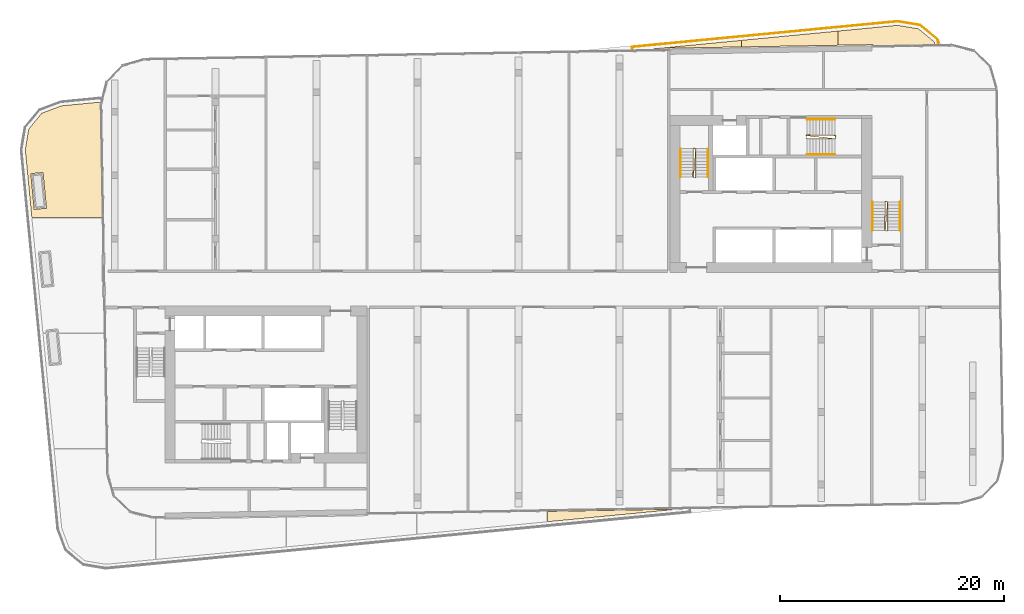
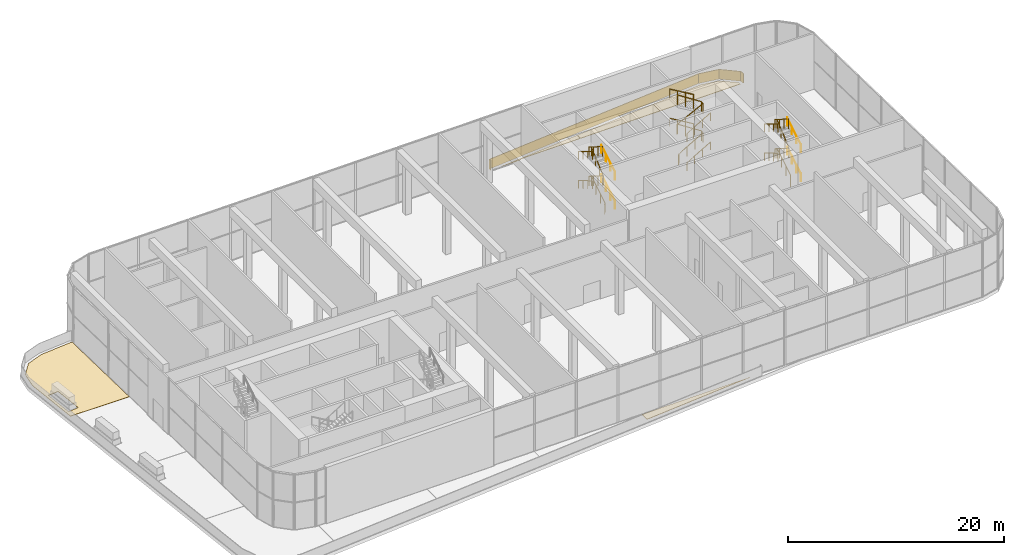
# One storey, part 23 of 24: 17 railings, 5 coverings.
"""IFC4 building model written with IfcOpenShell, lengths in metres."""

import ifcopenshell
import ifcopenshell.guid

model = None  # the IFC model being written
_history = None  # IfcOwnerHistory: only IFC2X3 demands one
_inside = {}  # id of a spatial element -> (the spatial element, [elements in it])
_under = {}  # id of a project, library or spatial element -> (it, [spatial elements below it])
_declared = {}  # id of a project -> (the project, [libraries it declares])
_typed = {}  # id of a type object -> (the type object, [elements of that type])
_made_of = {}  # id of a material, layer set ... -> (it, [elements and type objects made of it])


def new_model(schema):
    """Start an empty IFC model of exactly this schema.

    Asked for "IFC4X3", IfcOpenShell would pick the latest addendum, in which some entities
    have other attributes; the version numbers below select the first issue.
    IFC2X3 requires an IfcOwnerHistory on every rooted entity: one is made here for all.
    """
    global model, _history
    if schema == "IFC4X3":
        model = ifcopenshell.file(schema_version=(4, 3, 0, 0))
    else:
        model = ifcopenshell.file(schema=schema)
    _inside.clear()
    _under.clear()
    _declared.clear()
    _typed.clear()
    _made_of.clear()
    _history = None
    if model.schema == "IFC2X3":
        org = make("IfcOrganization", Name="unknown")
        user = make(
            "IfcPersonAndOrganization",
            ThePerson=make("IfcPerson", FamilyName="unknown"),
            TheOrganization=org,
        )
        app = make(
            "IfcApplication",
            ApplicationDeveloper=org,
            Version="unknown",
            ApplicationFullName="unknown",
            ApplicationIdentifier="unknown",
        )
        _history = make(
            "IfcOwnerHistory",
            OwningUser=user,
            OwningApplication=app,
            ChangeAction="ADDED",
            CreationDate=0,
        )
    return model


def make(cls, **values):
    """One entity of the class cls with the attributes given. An attribute that is None is left unset."""
    return model.create_entity(
        cls, **{name: value for name, value in values.items() if value is not None}
    )


def rooted(cls, **values):
    """An entity with a GlobalId (a new one), such as an element, a storey or a relation."""
    return make(cls, GlobalId=ifcopenshell.guid.new(), OwnerHistory=_history, **values)


def si_unit(unit_type, name, prefix=None):
    """IfcSIUnit, for example si_unit("LENGTHUNIT", "METRE", prefix="MILLI")."""
    return make("IfcSIUnit", UnitType=unit_type, Prefix=prefix, Name=name)


def assignment(units):
    """IfcUnitAssignment: the units of a project."""
    return None if units is None else make("IfcUnitAssignment", Units=units)


def point(xyz):
    """IfcCartesianPoint."""
    return None if xyz is None else make("IfcCartesianPoint", Coordinates=xyz)


def direction(xyz):
    """IfcDirection."""
    return None if xyz is None else make("IfcDirection", DirectionRatios=xyz)


def frame(location, z_axis=None, x_axis=None):
    """IfcAxis2Placement3D, a coordinate frame: its origin and axes. An axis left out is left unset."""
    return make(
        "IfcAxis2Placement3D",
        Location=point(location),
        Axis=direction(z_axis),
        RefDirection=direction(x_axis),
    )


def frame_2d(location, x_axis=None):
    """IfcAxis2Placement2D, a coordinate frame in the plane: its origin and x axis."""
    return make(
        "IfcAxis2Placement2D", Location=point(location), RefDirection=direction(x_axis)
    )


def origin():
    """The frame at (0, 0, 0) with its axes left unset."""
    return frame((0.0, 0.0, 0.0))


def origin_2d():
    """The frame at (0, 0) in the plane with its x axis left unset."""
    return frame_2d((0.0, 0.0))


def place(relative_to, where):
    """IfcLocalPlacement: puts the frame where relative to a parent placement (None: the world)."""
    return make(
        "IfcLocalPlacement", PlacementRelTo=relative_to, RelativePlacement=where
    )


def context(
    kind, dimensions, precision=None, world=None, true_north=None, identifier=None
):
    """IfcGeometricRepresentationContext, for example the 3D "Model" context."""
    return make(
        "IfcGeometricRepresentationContext",
        ContextIdentifier=identifier,
        ContextType=kind,
        CoordinateSpaceDimension=dimensions,
        Precision=precision,
        WorldCoordinateSystem=world,
        TrueNorth=true_north,
    )


def subcontext(parent, identifier, kind, view, scale=None):
    """IfcGeometricRepresentationSubContext, for example "Body" below "Model"."""
    return make(
        "IfcGeometricRepresentationSubContext",
        ContextIdentifier=identifier,
        ContextType=kind,
        ParentContext=parent,
        TargetScale=scale,
        TargetView=view,
    )


def project(units=None, contexts=None):
    """IfcProject with its units and contexts."""
    return rooted(
        "IfcProject",
        Name="project",
        RepresentationContexts=contexts,
        UnitsInContext=assignment(units),
    )


def spatial(cls, under=None, at=None, **own):
    """A site, building, storey or space (cls), placed at a placement, below another one or the project."""
    s = rooted(cls, ObjectPlacement=at, **own)
    if under is not None:
        _under.setdefault(under.id(), (under, []))[1].append(s)
    return s


def polyline(points):
    """IfcPolyline through the points."""
    return make("IfcPolyline", Points=[point(p) for p in points])


def profile(cls, at=None, kind="AREA", **sizes):
    """A parametric profile (cls). Its sizes go by their IFC names, for example OverallWidth=200.0."""
    return make(cls, ProfileType=kind, Position=at, **sizes)


def circle(**sizes):
    """IfcCircleProfileDef."""
    return profile("IfcCircleProfileDef", **sizes)


def outline(outer, holes=None, kind="AREA"):
    """IfcArbitraryClosedProfileDef: a profile drawn as a closed curve; with holes, ...WithVoids."""
    if holes is None:
        return make("IfcArbitraryClosedProfileDef", ProfileType=kind, OuterCurve=outer)
    return make(
        "IfcArbitraryProfileDefWithVoids",
        ProfileType=kind,
        OuterCurve=outer,
        InnerCurves=holes,
    )


def extrude(swept, where, along, depth):
    """IfcExtrudedAreaSolid: the profile swept, set in the frame where, extruded along a direction by depth."""
    return make(
        "IfcExtrudedAreaSolid",
        SweptArea=swept,
        Position=where,
        ExtrudedDirection=direction(along),
        Depth=depth,
    )


def shape(context_of_items, identifier, shape_type, items):
    """IfcShapeRepresentation: the items that make up one representation, for example the "Body"."""
    return make(
        "IfcShapeRepresentation",
        ContextOfItems=context_of_items,
        RepresentationIdentifier=identifier,
        RepresentationType=shape_type,
        Items=items,
    )


def material(Name=None, Category=None):
    """IfcMaterial."""
    return make("IfcMaterial", Name=Name, Category=Category)


def layer(
    of_material, thickness, ventilated=None, Name=None, Category=None, Priority=None
):
    """IfcMaterialLayer: one layer of a wall or slab, of a material (None: an air gap)."""
    return make(
        "IfcMaterialLayer",
        Material=of_material,
        LayerThickness=thickness,
        IsVentilated=ventilated,
        Name=Name,
        Category=Category,
        Priority=Priority,
    )


def layer_set(layers, Name=None):
    """IfcMaterialLayerSet."""
    return make("IfcMaterialLayerSet", MaterialLayers=layers, LayerSetName=Name)


def made_of(thing, what):
    """Note that an element or type object is made of a material, layer set ...; save() writes the relation."""
    if what is not None:
        _made_of.setdefault(what.id(), (what, []))[1].append(thing)
    return thing


def type_object(cls, material=None, **own):
    """A type object (cls), such as IfcWallType, which elements share."""
    return made_of(rooted(cls, **own), material)


def element(
    cls,
    number,
    at=None,
    inside=None,
    cuts=None,
    type_object=None,
    material=None,
    context=None,
    identifier="Body",
    shape_type=None,
    held_by="IfcProductDefinitionShape",
    body=None,
    shapes=None,
    **own,
):
    """One element of the class cls, such as IfcWall. Its Tag is "e" and its number.

    at: its placement. inside: the storey or other place that contains it. cuts: it is an
    opening in that element (IfcRelVoidsElement). A single representation is given by context,
    identifier, shape_type and body (its items); several are given by shapes. held_by: the class
    of the entity that holds the representations. save() writes the other relations.
    """
    e = rooted(cls, Tag="e%d" % number, ObjectPlacement=at, **own)
    if body is not None:
        shapes = [shape(context, identifier, shape_type, body)]
    if shapes is not None:
        e.Representation = make(held_by, Representations=shapes)
    if inside is not None:
        _inside.setdefault(inside.id(), (inside, []))[1].append(e)
    if cuts is not None:
        rooted(
            "IfcRelVoidsElement", RelatingBuildingElement=cuts, RelatedOpeningElement=e
        )
    if type_object is not None:
        _typed.setdefault(type_object.id(), (type_object, []))[1].append(e)
    return made_of(e, material)


def aggregate(whole, parts):
    """IfcRelAggregates: a whole, such as a stair, and the parts it consists of."""
    return rooted("IfcRelAggregates", RelatingObject=whole, RelatedObjects=parts)


def save(model, path):
    """Write the relations noted so far, then the file.

    IfcRelAggregates (storeys below a building ...), IfcRelContainedInSpatialStructure (elements
    in a storey), IfcRelDefinesByType, IfcRelAssociatesMaterial and IfcRelDeclares: one each for
    every whole, place, type object, material and project.
    """
    for whole, parts in _under.values():
        aggregate(whole, parts)
    for where, things in _inside.values():
        rooted(
            "IfcRelContainedInSpatialStructure",
            RelatedElements=things,
            RelatingStructure=where,
        )
    for kind, things in _typed.values():
        rooted("IfcRelDefinesByType", RelatedObjects=things, RelatingType=kind)
    for what, things in _made_of.values():
        rooted("IfcRelAssociatesMaterial", RelatedObjects=things, RelatingMaterial=what)
    for by, libraries in _declared.values():
        rooted("IfcRelDeclares", RelatingContext=by, RelatedDefinitions=libraries)
    model.write(path)


model = new_model("IFC4")

# Units and contexts
model_context = context("Model", 3, precision=1e-05, world=origin(), true_north=direction((0.0, 1.0)))
body_context = subcontext(model_context, "Body", "Model", "MODEL_VIEW")
ifc_project = project(units=[si_unit("LENGTHUNIT", "METRE"), si_unit("AREAUNIT", "SQUARE_METRE"), si_unit("VOLUMEUNIT", "CUBIC_METRE"), si_unit("PLANEANGLEUNIT", "RADIAN"), si_unit("MASSUNIT", "GRAM", prefix="KILO")], contexts=[model_context])

# Site, building, storey
site_placement = place(None, origin())
site = spatial("IfcSite", under=ifc_project, at=site_placement, CompositionType="ELEMENT")
building_placement = place(site_placement, origin())
building = spatial("IfcBuilding", under=site, at=building_placement, Name="Kajstack Hotel Tower", CompositionType="ELEMENT")
storey_placement = place(building_placement, frame((0.0, 0.0, 211.10009765625)))
storey = spatial("IfcBuildingStorey", under=building, at=storey_placement, Name="L51", CompositionType="ELEMENT", Elevation=211.10009765625)

# Railings
ifc_material_1 = material(Name="Steel S355J2", Category="steel")
railing_type_1 = type_object("IfcRailingType", Name="BALUSTRADE-TERRACE", PredefinedType="BALUSTRADE", material=ifc_material_1)
railing_1_placement = place(storey_placement, frame((10.15087890625, 21.327880859375, 0.0)))
element("IfcRailing", 1, at=railing_1_placement, inside=storey, type_object=railing_type_1, Name="Terrace guard L51-02-01", PredefinedType="BALUSTRADE", context=body_context, shape_type="SweptSolid", body=[
    extrude(outline(polyline([(-0.035400390625, 0.29736328125), (23.656494140625, 2.578369140625), (23.662353515625, 2.518798828125), (0.025634765625, 0.24267578125), (0.030029296875, 0.00048828125), (-0.030029296875, -0.00048828125), (-0.035400390625, 0.29736328125)])), origin(), (0.0, 0.0, 1.0), 1.10009765625),
])
railing_2_placement = place(storey_placement, frame((33.810302734375, 23.87646484375, 0.0)))
element("IfcRailing", 2, at=railing_2_placement, inside=storey, type_object=railing_type_1, Name="Terrace guard L51-02-02", PredefinedType="BALUSTRADE", context=body_context, shape_type="SweptSolid", body=[
    extrude(outline(polyline([(2.008056640625, -0.305419921875), (3.568359375, -1.591796875), (3.64501953125, -1.796630859375), (3.649658203125, -2.07177734375), (3.589599609375, -2.07275390625), (3.5849609375, -1.807861328125), (3.517578125, -1.6279296875), (1.982177734375, -0.362060546875), (-0.0048828125, -0.029541015625), (0.0048828125, 0.029541015625), (2.008056640625, -0.305419921875)])), origin(), (0.0, 0.0, 1.0), 1.10009765625),
])

# Coverings
ifc_material_2 = material(Name="Timber larch", Category="wood")
ifc_layer = layer(ifc_material_2, 0.050048828125)
ifc_layer_set = layer_set([ifc_layer], Name="DECK-LARCH")
covering_type = type_object("IfcCoveringType", Name="DECK-LARCH", PredefinedType="FLOORING", material=ifc_layer_set)
covering_1_placement = place(storey_placement, origin())
element("IfcCovering", 3, at=covering_1_placement, inside=storey, type_object=covering_type, Name="Larch decking L51-01-04", PredefinedType="FLOORING", context=body_context, shape_type="SweptSolid", body=[
    extrude(outline(polyline([(-43.3818359375, 6.3759765625), (-37.105224609375, 6.3759765625), (-37.281982421875, 16.49951171875), (-37.25390625, 16.61181640625), (-37.41748046875, 16.652587890625), (-37.561279296875, 16.652587890625), (-40.7333984375, 16.34716796875), (-42.4970703125, 15.68798828125), (-43.65380859375, 14.284423828125), (-43.95458984375, 12.4873046875), (-43.95458984375, 12.32373046875), (-43.3818359375, 6.3759765625)]), holes=[polyline([(-43.17138671875, 7.1123046875), (-43.478271484375, 10.297607421875), (-42.38330078125, 10.40283203125), (-42.07666015625, 7.2177734375), (-43.17138671875, 7.1123046875)])]), origin(), (0.0, 0.0, 1.0), 0.0498046875),
])
covering_2_placement = place(storey_placement, origin())
element("IfcCovering", 4, at=covering_2_placement, inside=storey, type_object=covering_type, Name="Larch decking L51-01-08", PredefinedType="FLOORING", context=body_context, shape_type="SweptSolid", body=[
    extrude(outline(polyline([(2.5673828125, -19.810791015625), (2.5673828125, -20.7333984375), (14.177734375, -19.615478515625), (14.177734375, -19.608154296875), (2.5673828125, -19.810791015625)])), origin(), (0.0, 0.0, 1.0), 0.0498046875),
])
covering_3_placement = place(storey_placement, origin())
element("IfcCovering", 5, at=covering_3_placement, inside=storey, type_object=covering_type, Name="Larch decking L51-02-01", PredefinedType="FLOORING", context=body_context, shape_type="SweptSolid", body=[
    extrude(outline(polyline([(19.859130859375, 21.597412109375), (19.859130859375, 22.181640625), (11.301025390625, 21.357421875), (11.837158203125, 21.357421875), (13.400146484375, 21.384765625), (13.398193359375, 21.484619140625), (19.859130859375, 21.597412109375)])), origin(), (0.0, 0.0, 1.0), 0.0498046875),
])
covering_4_placement = place(storey_placement, origin())
element("IfcCovering", 6, at=covering_4_placement, inside=storey, type_object=covering_type, Name="Larch decking L51-02-02", PredefinedType="FLOORING", context=body_context, shape_type="SweptSolid", body=[
    extrude(outline(polyline([(28.464599609375, 21.74755859375), (28.464599609375, 23.01025390625), (19.879150390625, 22.183349609375), (19.879150390625, 21.597900390625), (28.464599609375, 21.74755859375)])), origin(), (0.0, 0.0, 1.0), 0.0498046875),
])
covering_5_placement = place(storey_placement, origin())
element("IfcCovering", 7, at=covering_5_placement, inside=storey, type_object=covering_type, Name="Larch decking L51-02-03", PredefinedType="FLOORING", context=body_context, shape_type="SweptSolid", body=[
    extrude(outline(polyline([(31.599853515625, 21.702392578125), (37.070068359375, 21.7978515625), (37.070068359375, 22.02490234375), (37.058349609375, 22.056396484375), (35.655029296875, 23.213134765625), (33.85791015625, 23.513671875), (33.6943359375, 23.513671875), (28.484619140625, 23.011962890625), (28.484619140625, 21.748046875), (31.59814453125, 21.80224609375), (31.599853515625, 21.702392578125)])), origin(), (0.0, 0.0, 1.0), 0.0498046875),
])

# Railings
railing_type_2 = type_object("IfcRailingType", Name="Stair guard 1100", PredefinedType="GUARDRAIL", material=ifc_material_1)
railing_3_placement = place(storey_placement, frame((32.85009765625, 5.199951171875, 0.0)))
element("IfcRailing", 8, at=railing_3_placement, inside=storey, type_object=railing_type_2, Name="L51 E1 stair guard 1", PredefinedType="GUARDRAIL", context=body_context, shape_type="SweptSolid", body=[
    extrude(circle(Radius=0.02392578125, at=origin_2d()), frame((0.0, 0.0, 1.076171875), z_axis=(0.277797701265, 0.279159454702, 0.919183570361), x_axis=(-0.708833529934, 0.705375805398, 0.0)), (0.0, 0.0, 1.0), 0.17919921875),
    extrude(circle(Radius=0.02392578125, at=origin_2d()), frame((0.0498046875, 0.050048828125, 1.24072265625), z_axis=(0.0, 0.86152411907, 0.507716645641), x_axis=(-1.0, 0.0, 0.0)), (0.0, 0.0, 1.0), 2.925048828125),
    extrude(circle(Radius=0.02392578125, at=origin_2d()), frame((0.0498046875, 2.570068359375, 2.72607421875), z_axis=(-0.970072785993, 0.242814311512, 0.0), x_axis=(-0.242814311512, -0.970072785993, 0.0)), (0.0, 0.0, 1.0), 0.2060546875),
    extrude(circle(Radius=0.02392578125, at=origin_2d()), frame((-0.150146484375, 2.6201171875, 2.72607421875), z_axis=(-0.016385308676, -0.841405582595, 0.540155687962), x_axis=(0.999810440751, -0.019470042781, 0.0)), (0.0, 0.0, 1.0), 3.054443359375),
    extrude(circle(Radius=0.02392578125, at=origin_2d()), frame((-0.2001953125, 0.050048828125, 4.3759765625), z_axis=(0.707106781187, -0.707106781187, 0.0), x_axis=(0.707106781187, 0.707106781187, 0.0)), (0.0, 0.0, 1.0), 0.07080078125),
    extrude(circle(Radius=0.02392578125, at=origin_2d()), frame((-0.150146484375, 0.0, 4.3759765625), z_axis=(0.065327422454, 0.839684708398, 0.53913070619), x_axis=(-0.996987254287, 0.077565551559, 0.0)), (0.0, 0.0, 1.0), 3.060791015625),
    extrude(circle(Radius=0.02392578125, at=origin_2d()), frame((0.0498046875, 2.570068359375, 6.02587890625), z_axis=(-0.970072785993, 0.242814311512, 0.0), x_axis=(-0.242814311512, -0.970072785993, 0.0)), (0.0, 0.0, 1.0), 0.2060546875),
    extrude(circle(Radius=0.02392578125, at=origin_2d()), frame((-0.150146484375, 2.6201171875, 6.02587890625), z_axis=(-0.016385308676, -0.841405582595, 0.540155687962), x_axis=(0.999810440751, -0.019470042781, 0.0)), (0.0, 0.0, 1.0), 3.054443359375),
    extrude(circle(Radius=0.02099609375, at=origin_2d()), origin(), (0.0, 0.0, 1.0), 1.052001953125),
    extrude(circle(Radius=0.02099609375, at=origin_2d()), frame((0.0498046875, 0.050048828125, 0.164794921875)), (0.0, 0.0, 1.0), 1.052001953125),
    extrude(circle(Radius=0.02099609375, at=origin_2d()), frame((0.0498046875, 0.89013671875, 0.659912109375)), (0.0, 0.0, 1.0), 1.052001953125),
    extrude(circle(Radius=0.02099609375, at=origin_2d()), frame((0.0498046875, 1.72998046875, 1.15478515625)), (0.0, 0.0, 1.0), 1.052001953125),
    extrude(circle(Radius=0.02099609375, at=origin_2d()), frame((0.0498046875, 2.570068359375, 1.64990234375)), (0.0, 0.0, 1.0), 1.052001953125),
    extrude(circle(Radius=0.02099609375, at=origin_2d()), frame((-0.150146484375, 2.6201171875, 1.64990234375)), (0.0, 0.0, 1.0), 1.052001953125),
    extrude(circle(Radius=0.02099609375, at=origin_2d()), frame((-0.166748046875, 1.763427734375, 2.199951171875)), (0.0, 0.0, 1.0), 1.052001953125),
    extrude(circle(Radius=0.02099609375, at=origin_2d()), frame((-0.18359375, 0.90673828125, 2.749755859375)), (0.0, 0.0, 1.0), 1.052001953125),
    extrude(circle(Radius=0.02099609375, at=origin_2d()), frame((-0.2001953125, 0.050048828125, 3.2998046875)), (0.0, 0.0, 1.0), 1.052001953125),
    extrude(circle(Radius=0.02099609375, at=origin_2d()), frame((-0.150146484375, 0.0, 3.2998046875)), (0.0, 0.0, 1.0), 1.052001953125),
    extrude(circle(Radius=0.02099609375, at=origin_2d()), frame((-0.08349609375, 0.856689453125, 3.849853515625)), (0.0, 0.0, 1.0), 1.052001953125),
    extrude(circle(Radius=0.02099609375, at=origin_2d()), frame((-0.016845703125, 1.71337890625, 4.39990234375)), (0.0, 0.0, 1.0), 1.052001953125),
    extrude(circle(Radius=0.02099609375, at=origin_2d()), frame((0.0498046875, 2.570068359375, 4.949951171875)), (0.0, 0.0, 1.0), 1.052001953125),
    extrude(circle(Radius=0.02099609375, at=origin_2d()), frame((-0.150146484375, 2.6201171875, 4.949951171875)), (0.0, 0.0, 1.0), 1.052001953125),
    extrude(circle(Radius=0.02099609375, at=origin_2d()), frame((-0.166748046875, 1.763427734375, 5.5)), (0.0, 0.0, 1.0), 1.052001953125),
    extrude(circle(Radius=0.02099609375, at=origin_2d()), frame((-0.18359375, 0.90673828125, 6.0498046875)), (0.0, 0.0, 1.0), 1.052001953125),
    extrude(circle(Radius=0.02099609375, at=origin_2d()), frame((-0.2001953125, 0.050048828125, 6.599853515625)), (0.0, 0.0, 1.0), 1.052001953125),
])
railing_4_placement = place(storey_placement, frame((15.75, 9.949951171875, 0.0)))
element("IfcRailing", 9, at=railing_4_placement, inside=storey, type_object=railing_type_2, Name="L51 E2 stair guard 1", PredefinedType="GUARDRAIL", context=body_context, shape_type="SweptSolid", body=[
    extrude(circle(Radius=0.02392578125, at=origin_2d()), frame((0.0, 0.0, 1.076171875), z_axis=(0.279053652268, 0.279053652268, 0.918835196492), x_axis=(-0.707106781187, 0.707106781187, 0.0)), (0.0, 0.0, 1.0), 0.179443359375),
    extrude(circle(Radius=0.02392578125, at=origin_2d()), frame((0.050048828125, 0.050048828125, 1.24072265625), z_axis=(0.0, 0.86152411907, 0.507716645641), x_axis=(-1.0, 0.0, 0.0)), (0.0, 0.0, 1.0), 2.925048828125),
    extrude(circle(Radius=0.02392578125, at=origin_2d()), frame((0.050048828125, 2.570068359375, 2.72607421875), z_axis=(-0.970072785993, 0.242814311512, 0.0), x_axis=(-0.242814311512, -0.970072785993, 0.0)), (0.0, 0.0, 1.0), 0.2060546875),
    extrude(circle(Radius=0.02392578125, at=origin_2d()), frame((-0.14990234375, 2.6201171875, 2.72607421875), z_axis=(-0.016385308676, -0.841405582595, 0.540155687962), x_axis=(0.999810440751, -0.019470042781, 0.0)), (0.0, 0.0, 1.0), 3.054443359375),
    extrude(circle(Radius=0.02392578125, at=origin_2d()), frame((-0.199951171875, 0.050048828125, 4.3759765625), z_axis=(0.707106781187, -0.707106781187, 0.0), x_axis=(0.707106781187, 0.707106781187, 0.0)), (0.0, 0.0, 1.0), 0.07080078125),
    extrude(circle(Radius=0.02392578125, at=origin_2d()), frame((-0.14990234375, 0.0, 4.3759765625), z_axis=(0.065327422454, 0.839684708398, 0.53913070619), x_axis=(-0.996987254287, 0.077565551559, 0.0)), (0.0, 0.0, 1.0), 3.060791015625),
    extrude(circle(Radius=0.02392578125, at=origin_2d()), frame((0.050048828125, 2.570068359375, 6.02587890625), z_axis=(-0.970072785993, 0.242814311512, 0.0), x_axis=(-0.242814311512, -0.970072785993, 0.0)), (0.0, 0.0, 1.0), 0.2060546875),
    extrude(circle(Radius=0.02392578125, at=origin_2d()), frame((-0.14990234375, 2.6201171875, 6.02587890625), z_axis=(-0.016385308676, -0.841405582595, 0.540155687962), x_axis=(0.999810440751, -0.019470042781, 0.0)), (0.0, 0.0, 1.0), 3.054443359375),
    extrude(circle(Radius=0.02099609375, at=origin_2d()), origin(), (0.0, 0.0, 1.0), 1.052001953125),
    extrude(circle(Radius=0.02099609375, at=origin_2d()), frame((0.050048828125, 0.050048828125, 0.164794921875)), (0.0, 0.0, 1.0), 1.052001953125),
    extrude(circle(Radius=0.02099609375, at=origin_2d()), frame((0.050048828125, 0.89013671875, 0.659912109375)), (0.0, 0.0, 1.0), 1.052001953125),
    extrude(circle(Radius=0.02099609375, at=origin_2d()), frame((0.050048828125, 1.72998046875, 1.15478515625)), (0.0, 0.0, 1.0), 1.052001953125),
    extrude(circle(Radius=0.02099609375, at=origin_2d()), frame((0.050048828125, 2.570068359375, 1.64990234375)), (0.0, 0.0, 1.0), 1.052001953125),
    extrude(circle(Radius=0.02099609375, at=origin_2d()), frame((-0.14990234375, 2.6201171875, 1.64990234375)), (0.0, 0.0, 1.0), 1.052001953125),
    extrude(circle(Radius=0.02099609375, at=origin_2d()), frame((-0.16650390625, 1.763427734375, 2.199951171875)), (0.0, 0.0, 1.0), 1.052001953125),
    extrude(circle(Radius=0.02099609375, at=origin_2d()), frame((-0.183349609375, 0.90673828125, 2.749755859375)), (0.0, 0.0, 1.0), 1.052001953125),
    extrude(circle(Radius=0.02099609375, at=origin_2d()), frame((-0.199951171875, 0.050048828125, 3.2998046875)), (0.0, 0.0, 1.0), 1.052001953125),
    extrude(circle(Radius=0.02099609375, at=origin_2d()), frame((-0.14990234375, 0.0, 3.2998046875)), (0.0, 0.0, 1.0), 1.052001953125),
    extrude(circle(Radius=0.02099609375, at=origin_2d()), frame((-0.083251953125, 0.856689453125, 3.849853515625)), (0.0, 0.0, 1.0), 1.052001953125),
    extrude(circle(Radius=0.02099609375, at=origin_2d()), frame((-0.0166015625, 1.71337890625, 4.39990234375)), (0.0, 0.0, 1.0), 1.052001953125),
    extrude(circle(Radius=0.02099609375, at=origin_2d()), frame((0.050048828125, 2.570068359375, 4.949951171875)), (0.0, 0.0, 1.0), 1.052001953125),
    extrude(circle(Radius=0.02099609375, at=origin_2d()), frame((-0.14990234375, 2.6201171875, 4.949951171875)), (0.0, 0.0, 1.0), 1.052001953125),
    extrude(circle(Radius=0.02099609375, at=origin_2d()), frame((-0.16650390625, 1.763427734375, 5.5)), (0.0, 0.0, 1.0), 1.052001953125),
    extrude(circle(Radius=0.02099609375, at=origin_2d()), frame((-0.183349609375, 0.90673828125, 6.0498046875)), (0.0, 0.0, 1.0), 1.052001953125),
    extrude(circle(Radius=0.02099609375, at=origin_2d()), frame((-0.199951171875, 0.050048828125, 6.599853515625)), (0.0, 0.0, 1.0), 1.052001953125),
])
railing_5_placement = place(storey_placement, frame((25.64990234375, 13.449951171875, 0.0)))
element("IfcRailing", 10, at=railing_5_placement, inside=storey, type_object=railing_type_2, Name="L51 E3 stair guard 1", PredefinedType="GUARDRAIL", context=body_context, shape_type="SweptSolid", body=[
    extrude(circle(Radius=0.02392578125, at=origin_2d()), frame((0.0, 0.0, 1.076171875), z_axis=(0.279053652268, -0.279053652268, 0.918835196492), x_axis=(0.707106781187, 0.707106781187, 0.0)), (0.0, 0.0, 1.0), 0.179443359375),
    extrude(circle(Radius=0.02392578125, at=origin_2d()), frame((0.050048828125, -0.050048828125, 1.24072265625), z_axis=(0.86152411907, 0.0, 0.507716645641), x_axis=(0.0, 1.0, 0.0)), (0.0, 0.0, 1.0), 2.925048828125),
    extrude(circle(Radius=0.02392578125, at=origin_2d()), frame((2.570068359375, -0.050048828125, 2.72607421875), z_axis=(0.164529134168, 0.986372223864, 0.0), x_axis=(-0.986372223864, 0.164529134168, 0.0)), (0.0, 0.0, 1.0), 0.30419921875),
    extrude(circle(Radius=0.02392578125, at=origin_2d()), frame((2.6201171875, 0.25, 2.72607421875), z_axis=(-0.841405582595, 0.016385308676, 0.540155687962), x_axis=(-0.019470042781, -0.999810440751, 0.0)), (0.0, 0.0, 1.0), 3.054443359375),
    extrude(circle(Radius=0.02392578125, at=origin_2d()), frame((0.050048828125, 0.300048828125, 4.3759765625), z_axis=(-0.707106781187, -0.707106781187, 0.0), x_axis=(0.707106781187, -0.707106781187, 0.0)), (0.0, 0.0, 1.0), 0.07080078125),
    extrude(circle(Radius=0.02392578125, at=origin_2d()), frame((0.0, 0.25, 4.3759765625), z_axis=(0.837450686566, -0.097770199847, 0.537696322837), x_axis=(0.115959822279, 0.993253904909, 0.0)), (0.0, 0.0, 1.0), 3.06884765625),
    extrude(circle(Radius=0.02392578125, at=origin_2d()), frame((2.570068359375, -0.050048828125, 6.02587890625), z_axis=(0.164529134168, 0.986372223864, 0.0), x_axis=(-0.986372223864, 0.164529134168, 0.0)), (0.0, 0.0, 1.0), 0.30419921875),
    extrude(circle(Radius=0.02392578125, at=origin_2d()), frame((2.6201171875, 0.25, 6.02587890625), z_axis=(-0.841405582595, 0.016385308676, 0.540155687962), x_axis=(-0.019470042781, -0.999810440751, 0.0)), (0.0, 0.0, 1.0), 3.054443359375),
    extrude(circle(Radius=0.02099609375, at=origin_2d()), origin(), (0.0, 0.0, 1.0), 1.052001953125),
    extrude(circle(Radius=0.02099609375, at=origin_2d()), frame((0.050048828125, -0.050048828125, 0.164794921875)), (0.0, 0.0, 1.0), 1.052001953125),
    extrude(circle(Radius=0.02099609375, at=origin_2d()), frame((0.89013671875, -0.050048828125, 0.659912109375)), (0.0, 0.0, 1.0), 1.052001953125),
    extrude(circle(Radius=0.02099609375, at=origin_2d()), frame((1.72998046875, -0.050048828125, 1.15478515625)), (0.0, 0.0, 1.0), 1.052001953125),
    extrude(circle(Radius=0.02099609375, at=origin_2d()), frame((2.570068359375, -0.050048828125, 1.64990234375)), (0.0, 0.0, 1.0), 1.052001953125),
    extrude(circle(Radius=0.02099609375, at=origin_2d()), frame((2.6201171875, 0.25, 1.64990234375)), (0.0, 0.0, 1.0), 1.052001953125),
    extrude(circle(Radius=0.02099609375, at=origin_2d()), frame((1.763427734375, 0.2666015625, 2.199951171875)), (0.0, 0.0, 1.0), 1.052001953125),
    extrude(circle(Radius=0.02099609375, at=origin_2d()), frame((0.90673828125, 0.283447265625, 2.749755859375)), (0.0, 0.0, 1.0), 1.052001953125),
    extrude(circle(Radius=0.02099609375, at=origin_2d()), frame((0.050048828125, 0.300048828125, 3.2998046875)), (0.0, 0.0, 1.0), 1.052001953125),
    extrude(circle(Radius=0.02099609375, at=origin_2d()), frame((0.0, 0.25, 3.2998046875)), (0.0, 0.0, 1.0), 1.052001953125),
    extrude(circle(Radius=0.02099609375, at=origin_2d()), frame((0.856689453125, 0.14990234375, 3.849853515625)), (0.0, 0.0, 1.0), 1.052001953125),
    extrude(circle(Radius=0.02099609375, at=origin_2d()), frame((1.71337890625, 0.050048828125, 4.39990234375)), (0.0, 0.0, 1.0), 1.052001953125),
    extrude(circle(Radius=0.02099609375, at=origin_2d()), frame((2.570068359375, -0.050048828125, 4.949951171875)), (0.0, 0.0, 1.0), 1.052001953125),
    extrude(circle(Radius=0.02099609375, at=origin_2d()), frame((2.6201171875, 0.25, 4.949951171875)), (0.0, 0.0, 1.0), 1.052001953125),
    extrude(circle(Radius=0.02099609375, at=origin_2d()), frame((1.763427734375, 0.2666015625, 5.5)), (0.0, 0.0, 1.0), 1.052001953125),
    extrude(circle(Radius=0.02099609375, at=origin_2d()), frame((0.90673828125, 0.283447265625, 6.0498046875)), (0.0, 0.0, 1.0), 1.052001953125),
    extrude(circle(Radius=0.02099609375, at=origin_2d()), frame((0.050048828125, 0.300048828125, 6.599853515625)), (0.0, 0.0, 1.0), 1.052001953125),
])
railing_type_3 = type_object("IfcRailingType", Name="Stair handrail 900", PredefinedType="HANDRAIL", material=ifc_material_1)
railing_6_placement = place(storey_placement, frame((34.0, 5.25, 0.164794921875)))
element("IfcRailing", 11, at=railing_6_placement, inside=storey, type_object=railing_type_3, Name="L51 E1 stair handrail 1", PredefinedType="HANDRAIL", context=body_context, shape_type="SweptSolid", body=[
    extrude(circle(Radius=0.02392578125, at=origin_2d()), frame((0.0, 0.0, 0.8759765625), z_axis=(0.0, 0.86152411907, 0.507716645641), x_axis=(-1.0, 0.0, 0.0)), (0.0, 0.0, 1.0), 2.925048828125),
    extrude(circle(Radius=0.02099609375, at=origin_2d()), origin(), (0.0, 0.0, 1.0), 0.851806640625),
    extrude(circle(Radius=0.02099609375, at=origin_2d()), frame((0.0, 0.840087890625, 0.4951171875)), (0.0, 0.0, 1.0), 0.851806640625),
    extrude(circle(Radius=0.02099609375, at=origin_2d()), frame((0.0, 1.679931640625, 0.989990234375)), (0.0, 0.0, 1.0), 0.851806640625),
    extrude(circle(Radius=0.02099609375, at=origin_2d()), frame((0.0, 2.52001953125, 1.485107421875)), (0.0, 0.0, 1.0), 0.851806640625),
])
railing_7_placement = place(storey_placement, frame((31.550048828125, 7.77001953125, 1.81494140625)))
element("IfcRailing", 12, at=railing_7_placement, inside=storey, type_object=railing_type_3, Name="L51 E1 stair handrail 2", PredefinedType="HANDRAIL", context=body_context, shape_type="SweptSolid", body=[
    extrude(circle(Radius=0.02392578125, at=origin_2d()), frame((0.0, 0.0, 0.8759765625), z_axis=(0.0, -0.861560626758, 0.507654692109), x_axis=(1.0, 0.0, 0.0)), (0.0, 0.0, 1.0), 2.925048828125),
    extrude(circle(Radius=0.02099609375, at=origin_2d()), origin(), (0.0, 0.0, 1.0), 0.851806640625),
    extrude(circle(Radius=0.02099609375, at=origin_2d()), frame((0.0, -0.840087890625, 0.494873046875)), (0.0, 0.0, 1.0), 0.851806640625),
    extrude(circle(Radius=0.02099609375, at=origin_2d()), frame((0.0, -1.679931640625, 0.989990234375)), (0.0, 0.0, 1.0), 0.851806640625),
    extrude(circle(Radius=0.02099609375, at=origin_2d()), frame((0.0, -2.52001953125, 1.48486328125)), (0.0, 0.0, 1.0), 0.851806640625),
])
railing_8_placement = place(storey_placement, frame((34.0, 5.25, 3.46484375)))
element("IfcRailing", 13, at=railing_8_placement, inside=storey, type_object=railing_type_3, Name="L51 E1 stair handrail 3", PredefinedType="HANDRAIL", context=body_context, shape_type="SweptSolid", body=[
    extrude(circle(Radius=0.02392578125, at=origin_2d()), frame((0.0, 0.0, 0.8759765625), z_axis=(0.0, 0.86152411907, 0.507716645641), x_axis=(-1.0, 0.0, 0.0)), (0.0, 0.0, 1.0), 2.925048828125),
    extrude(circle(Radius=0.02099609375, at=origin_2d()), origin(), (0.0, 0.0, 1.0), 0.851806640625),
    extrude(circle(Radius=0.02099609375, at=origin_2d()), frame((0.0, 0.840087890625, 0.4951171875)), (0.0, 0.0, 1.0), 0.851806640625),
    extrude(circle(Radius=0.02099609375, at=origin_2d()), frame((0.0, 1.679931640625, 0.989990234375)), (0.0, 0.0, 1.0), 0.851806640625),
    extrude(circle(Radius=0.02099609375, at=origin_2d()), frame((0.0, 2.52001953125, 1.485107421875)), (0.0, 0.0, 1.0), 0.851806640625),
])
railing_9_placement = place(storey_placement, frame((31.550048828125, 7.77001953125, 5.114990234375)))
element("IfcRailing", 14, at=railing_9_placement, inside=storey, type_object=railing_type_3, Name="L51 E1 stair handrail 4", PredefinedType="HANDRAIL", context=body_context, shape_type="SweptSolid", body=[
    extrude(circle(Radius=0.02392578125, at=origin_2d()), frame((0.0, 0.0, 0.8759765625), z_axis=(0.0, -0.861560626758, 0.507654692109), x_axis=(1.0, 0.0, 0.0)), (0.0, 0.0, 1.0), 2.925048828125),
    extrude(circle(Radius=0.02099609375, at=origin_2d()), origin(), (0.0, 0.0, 1.0), 0.851806640625),
    extrude(circle(Radius=0.02099609375, at=origin_2d()), frame((0.0, -0.840087890625, 0.494873046875)), (0.0, 0.0, 1.0), 0.851806640625),
    extrude(circle(Radius=0.02099609375, at=origin_2d()), frame((0.0, -1.679931640625, 0.989990234375)), (0.0, 0.0, 1.0), 0.851806640625),
    extrude(circle(Radius=0.02099609375, at=origin_2d()), frame((0.0, -2.52001953125, 1.48486328125)), (0.0, 0.0, 1.0), 0.851806640625),
])
railing_10_placement = place(storey_placement, frame((16.89990234375, 10.0, 0.164794921875)))
element("IfcRailing", 15, at=railing_10_placement, inside=storey, type_object=railing_type_3, Name="L51 E2 stair handrail 1", PredefinedType="HANDRAIL", context=body_context, shape_type="SweptSolid", body=[
    extrude(circle(Radius=0.02392578125, at=origin_2d()), frame((0.0, 0.0, 0.8759765625), z_axis=(0.0, 0.86152411907, 0.507716645641), x_axis=(-1.0, 0.0, 0.0)), (0.0, 0.0, 1.0), 2.925048828125),
    extrude(circle(Radius=0.02099609375, at=origin_2d()), origin(), (0.0, 0.0, 1.0), 0.851806640625),
    extrude(circle(Radius=0.02099609375, at=origin_2d()), frame((0.0, 0.840087890625, 0.4951171875)), (0.0, 0.0, 1.0), 0.851806640625),
    extrude(circle(Radius=0.02099609375, at=origin_2d()), frame((0.0, 1.679931640625, 0.989990234375)), (0.0, 0.0, 1.0), 0.851806640625),
    extrude(circle(Radius=0.02099609375, at=origin_2d()), frame((0.0, 2.52001953125, 1.485107421875)), (0.0, 0.0, 1.0), 0.851806640625),
])
railing_11_placement = place(storey_placement, frame((14.449951171875, 12.52001953125, 1.81494140625)))
element("IfcRailing", 16, at=railing_11_placement, inside=storey, type_object=railing_type_3, Name="L51 E2 stair handrail 2", PredefinedType="HANDRAIL", context=body_context, shape_type="SweptSolid", body=[
    extrude(circle(Radius=0.02392578125, at=origin_2d()), frame((0.0, 0.0, 0.8759765625), z_axis=(0.0, -0.861560626758, 0.507654692109), x_axis=(1.0, 0.0, 0.0)), (0.0, 0.0, 1.0), 2.925048828125),
    extrude(circle(Radius=0.02099609375, at=origin_2d()), origin(), (0.0, 0.0, 1.0), 0.851806640625),
    extrude(circle(Radius=0.02099609375, at=origin_2d()), frame((0.0, -0.840087890625, 0.494873046875)), (0.0, 0.0, 1.0), 0.851806640625),
    extrude(circle(Radius=0.02099609375, at=origin_2d()), frame((0.0, -1.679931640625, 0.989990234375)), (0.0, 0.0, 1.0), 0.851806640625),
    extrude(circle(Radius=0.02099609375, at=origin_2d()), frame((0.0, -2.52001953125, 1.48486328125)), (0.0, 0.0, 1.0), 0.851806640625),
])
railing_12_placement = place(storey_placement, frame((16.89990234375, 10.0, 3.46484375)))
element("IfcRailing", 17, at=railing_12_placement, inside=storey, type_object=railing_type_3, Name="L51 E2 stair handrail 3", PredefinedType="HANDRAIL", context=body_context, shape_type="SweptSolid", body=[
    extrude(circle(Radius=0.02392578125, at=origin_2d()), frame((0.0, 0.0, 0.8759765625), z_axis=(0.0, 0.86152411907, 0.507716645641), x_axis=(-1.0, 0.0, 0.0)), (0.0, 0.0, 1.0), 2.925048828125),
    extrude(circle(Radius=0.02099609375, at=origin_2d()), origin(), (0.0, 0.0, 1.0), 0.851806640625),
    extrude(circle(Radius=0.02099609375, at=origin_2d()), frame((0.0, 0.840087890625, 0.4951171875)), (0.0, 0.0, 1.0), 0.851806640625),
    extrude(circle(Radius=0.02099609375, at=origin_2d()), frame((0.0, 1.679931640625, 0.989990234375)), (0.0, 0.0, 1.0), 0.851806640625),
    extrude(circle(Radius=0.02099609375, at=origin_2d()), frame((0.0, 2.52001953125, 1.485107421875)), (0.0, 0.0, 1.0), 0.851806640625),
])
railing_13_placement = place(storey_placement, frame((14.449951171875, 12.52001953125, 5.114990234375)))
element("IfcRailing", 18, at=railing_13_placement, inside=storey, type_object=railing_type_3, Name="L51 E2 stair handrail 4", PredefinedType="HANDRAIL", context=body_context, shape_type="SweptSolid", body=[
    extrude(circle(Radius=0.02392578125, at=origin_2d()), frame((0.0, 0.0, 0.8759765625), z_axis=(0.0, -0.861560626758, 0.507654692109), x_axis=(1.0, 0.0, 0.0)), (0.0, 0.0, 1.0), 2.925048828125),
    extrude(circle(Radius=0.02099609375, at=origin_2d()), origin(), (0.0, 0.0, 1.0), 0.851806640625),
    extrude(circle(Radius=0.02099609375, at=origin_2d()), frame((0.0, -0.840087890625, 0.494873046875)), (0.0, 0.0, 1.0), 0.851806640625),
    extrude(circle(Radius=0.02099609375, at=origin_2d()), frame((0.0, -1.679931640625, 0.989990234375)), (0.0, 0.0, 1.0), 0.851806640625),
    extrude(circle(Radius=0.02099609375, at=origin_2d()), frame((0.0, -2.52001953125, 1.48486328125)), (0.0, 0.0, 1.0), 0.851806640625),
])
railing_14_placement = place(storey_placement, frame((25.699951171875, 12.0, 0.164794921875)))
element("IfcRailing", 19, at=railing_14_placement, inside=storey, type_object=railing_type_3, Name="L51 E3 stair handrail 1", PredefinedType="HANDRAIL", context=body_context, shape_type="SweptSolid", body=[
    extrude(circle(Radius=0.02392578125, at=origin_2d()), frame((0.0, 0.0, 0.8759765625), z_axis=(0.86152411907, 0.0, 0.507716645641), x_axis=(0.0, 1.0, 0.0)), (0.0, 0.0, 1.0), 2.925048828125),
    extrude(circle(Radius=0.02099609375, at=origin_2d()), origin(), (0.0, 0.0, 1.0), 0.851806640625),
    extrude(circle(Radius=0.02099609375, at=origin_2d()), frame((0.840087890625, 0.0, 0.4951171875)), (0.0, 0.0, 1.0), 0.851806640625),
    extrude(circle(Radius=0.02099609375, at=origin_2d()), frame((1.679931640625, 0.0, 0.989990234375)), (0.0, 0.0, 1.0), 0.851806640625),
    extrude(circle(Radius=0.02099609375, at=origin_2d()), frame((2.52001953125, 0.0, 1.485107421875)), (0.0, 0.0, 1.0), 0.851806640625),
])
railing_15_placement = place(storey_placement, frame((28.219970703125, 15.14990234375, 1.81494140625)))
element("IfcRailing", 20, at=railing_15_placement, inside=storey, type_object=railing_type_3, Name="L51 E3 stair handrail 2", PredefinedType="HANDRAIL", context=body_context, shape_type="SweptSolid", body=[
    extrude(circle(Radius=0.02392578125, at=origin_2d()), frame((0.0, 0.0, 0.8759765625), z_axis=(-0.861560626758, 0.0, 0.507654692109), x_axis=(0.0, -1.0, 0.0)), (0.0, 0.0, 1.0), 2.925048828125),
    extrude(circle(Radius=0.02099609375, at=origin_2d()), origin(), (0.0, 0.0, 1.0), 0.851806640625),
    extrude(circle(Radius=0.02099609375, at=origin_2d()), frame((-0.840087890625, 0.0, 0.494873046875)), (0.0, 0.0, 1.0), 0.851806640625),
    extrude(circle(Radius=0.02099609375, at=origin_2d()), frame((-1.679931640625, 0.0, 0.989990234375)), (0.0, 0.0, 1.0), 0.851806640625),
    extrude(circle(Radius=0.02099609375, at=origin_2d()), frame((-2.52001953125, 0.0, 1.48486328125)), (0.0, 0.0, 1.0), 0.851806640625),
])
railing_16_placement = place(storey_placement, frame((25.699951171875, 12.0, 3.46484375)))
element("IfcRailing", 21, at=railing_16_placement, inside=storey, type_object=railing_type_3, Name="L51 E3 stair handrail 3", PredefinedType="HANDRAIL", context=body_context, shape_type="SweptSolid", body=[
    extrude(circle(Radius=0.02392578125, at=origin_2d()), frame((0.0, 0.0, 0.8759765625), z_axis=(0.86152411907, 0.0, 0.507716645641), x_axis=(0.0, 1.0, 0.0)), (0.0, 0.0, 1.0), 2.925048828125),
    extrude(circle(Radius=0.02099609375, at=origin_2d()), origin(), (0.0, 0.0, 1.0), 0.851806640625),
    extrude(circle(Radius=0.02099609375, at=origin_2d()), frame((0.840087890625, 0.0, 0.4951171875)), (0.0, 0.0, 1.0), 0.851806640625),
    extrude(circle(Radius=0.02099609375, at=origin_2d()), frame((1.679931640625, 0.0, 0.989990234375)), (0.0, 0.0, 1.0), 0.851806640625),
    extrude(circle(Radius=0.02099609375, at=origin_2d()), frame((2.52001953125, 0.0, 1.485107421875)), (0.0, 0.0, 1.0), 0.851806640625),
])
railing_17_placement = place(storey_placement, frame((28.219970703125, 15.14990234375, 5.114990234375)))
element("IfcRailing", 22, at=railing_17_placement, inside=storey, type_object=railing_type_3, Name="L51 E3 stair handrail 4", PredefinedType="HANDRAIL", context=body_context, shape_type="SweptSolid", body=[
    extrude(circle(Radius=0.02392578125, at=origin_2d()), frame((0.0, 0.0, 0.8759765625), z_axis=(-0.861560626758, 0.0, 0.507654692109), x_axis=(0.0, -1.0, 0.0)), (0.0, 0.0, 1.0), 2.925048828125),
    extrude(circle(Radius=0.02099609375, at=origin_2d()), origin(), (0.0, 0.0, 1.0), 0.851806640625),
    extrude(circle(Radius=0.02099609375, at=origin_2d()), frame((-0.840087890625, 0.0, 0.494873046875)), (0.0, 0.0, 1.0), 0.851806640625),
    extrude(circle(Radius=0.02099609375, at=origin_2d()), frame((-1.679931640625, 0.0, 0.989990234375)), (0.0, 0.0, 1.0), 0.851806640625),
    extrude(circle(Radius=0.02099609375, at=origin_2d()), frame((-2.52001953125, 0.0, 1.48486328125)), (0.0, 0.0, 1.0), 0.851806640625),
])

save(model, "model.ifc")
